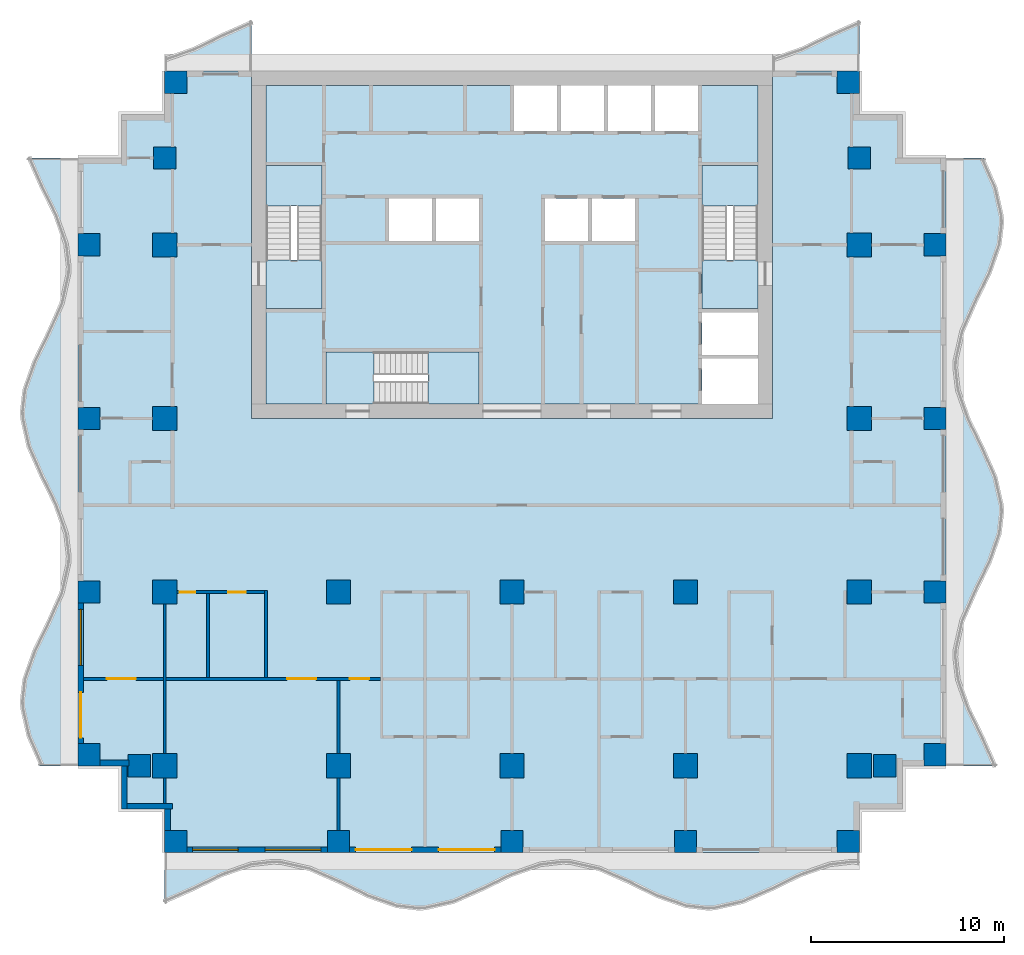
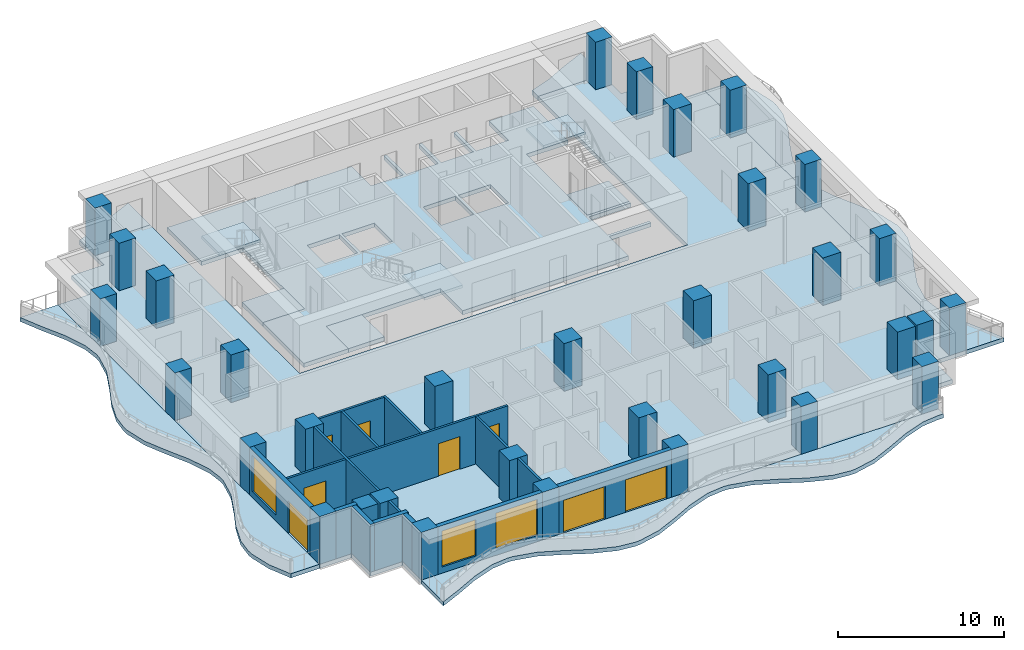
# One storey, part 1 of 10: 33 columns, 16 walls, 13 slabs, 8 doors, 3 windows, 11 openings, 3 elements without a shape of their own.
"""IFC4 building model written with IfcOpenShell, lengths in metres."""

from ifc_helpers import new_model, si_unit, direction, frame, frame_2d, origin, origin_2d, place, context, subcontext, project, spatial, polyline, rectangle, outline, extrude, material, layer, layer_set, material_profile, profile_set, type_object, element, fill, aggregate, save


model = new_model("IFC4")

# Units and contexts
model_context = context("Model", 3, precision=1e-05, world=origin(), true_north=direction((0.0, 1.0)))
body_context = subcontext(model_context, "Body", "Model", "MODEL_VIEW")
ifc_project = project(units=[si_unit("LENGTHUNIT", "METRE"), si_unit("AREAUNIT", "SQUARE_METRE"), si_unit("VOLUMEUNIT", "CUBIC_METRE"), si_unit("PLANEANGLEUNIT", "RADIAN"), si_unit("MASSUNIT", "GRAM", prefix="KILO")], contexts=[model_context])

# Site, building, storey
site_placement = place(None, origin())
site = spatial("IfcSite", under=ifc_project, at=site_placement, CompositionType="ELEMENT")
building_placement = place(site_placement, origin())
building = spatial("IfcBuilding", under=site, at=building_placement, Name="Orbiselva Terraces", CompositionType="ELEMENT")
storey_placement = place(building_placement, frame((0.0, 0.0, 155.4)))
storey = spatial("IfcBuildingStorey", under=building, at=storey_placement, Name="L39", CompositionType="ELEMENT", Elevation=155.4)

# Columns
ifc_material_1 = material(Name="Concrete C60/75", Category="concrete")
ifc_material_profile_1 = material_profile(ifc_material_1, rectangle(XDim=1.25, YDim=1.25, at=origin_2d()), Name="RC 1250x1250")
ifc_profile_set_1 = profile_set([ifc_material_profile_1], Name="Concrete C60/75")
column_type_1 = type_object("IfcColumnType", Name="COLUMN RC 1250x1250", PredefinedType="COLUMN", material=ifc_profile_set_1)
for number, where, z_axis, x_axis, name in (
    (1, (-18.0, -13.5, 0.0), (0.0, 0.0, 1.0), (1.0, 0.0, 0.0), "Column L39-01"),
    (2, (-18.0, -4.5, 0.0), (0.0, 0.0, 1.0), (1.0, 0.0, 0.0), "Column L39-03"),
    (3, (-18.0, 13.5, 0.0), (0.0, 0.0, 1.0), (1.0, 0.0, 0.0), "Column L39-04"),
    (4, (-18.0, 4.5, 0.0), (0.0, 0.0, 1.0), (1.0, 0.0, 0.0), "Column L39-06"),
    (5, (-9.0, -13.5, 0.0), (0.0, 0.0, 1.0), (1.0, 0.0, 0.0), "Column L39-13"),
    (6, (-9.0, -4.5, 0.0), (0.0, 0.0, 1.0), (1.0, 0.0, 0.0), "Column L39-15"),
    (7, (0.0, -13.5, 0.0), (0.0, 0.0, 1.0), (1.0, 0.0, 0.0), "Column L39-16"),
    (8, (0.0, -4.5, 0.0), (0.0, 0.0, 1.0), (1.0, 0.0, 0.0), "Column L39-18"),
    (9, (18.0, -13.5, 0.0), (0.0, 0.0, 1.0), (1.0, 0.0, 0.0), "Column L39-19"),
    (10, (18.0, -4.5, 0.0), (0.0, 0.0, 1.0), (1.0, 0.0, 0.0), "Column L39-21"),
    (11, (18.0, 13.5, 0.0), (0.0, 0.0, 1.0), (1.0, 0.0, 0.0), "Column L39-22"),
    (12, (18.0, 4.5, 0.0), (0.0, 0.0, 1.0), (1.0, 0.0, 0.0), "Column L39-24"),
    (13, (9.0, -13.5, 0.0), (0.0, 0.0, 1.0), (1.0, 0.0, 0.0), "Column L39-31"),
    (14, (9.0, -4.5, 0.0), (0.0, 0.0, 1.0), (1.0, 0.0, 0.0), "Column L39-33"),
):
    element("IfcColumn", number, at=place(storey_placement, frame(where, z_axis=z_axis, x_axis=x_axis)), inside=storey, type_object=column_type_1, Name=name, PredefinedType="COLUMN", context=body_context, shape_type="SweptSolid", body=[
        extrude(rectangle(XDim=1.25, YDim=1.25, at=origin_2d()), origin(), (0.0, 0.0, 1.0), 3.5),
    ])
ifc_material_profile_2 = material_profile(ifc_material_1, rectangle(XDim=1.15, YDim=1.15, at=origin_2d()), Name="RC 1150x1150")
ifc_profile_set_2 = profile_set([ifc_material_profile_2], Name="Concrete C60/75")
column_type_2 = type_object("IfcColumnType", Name="PERIMETER COLUMN RC 1150x1150", PredefinedType="COLUMN", material=ifc_profile_set_2)
for number, where, z_axis, x_axis, name in (
    (15, (-17.425, -17.425, 0.0), (0.0, 0.0, 1.0), (1.0, 0.0, 0.0), "Column L39-02"),
    (16, (-17.425, 21.925, 0.0), (0.0, 0.0, 1.0), (1.0, 0.0, 0.0), "Column L39-05"),
    (17, (-21.925, -12.925, 0.0), (0.0, 0.0, 1.0), (1.0, 0.0, 0.0), "Column L39-07"),
    (18, (-19.32, -13.5, 0.0), (0.0, 0.0, 1.0), (1.0, 0.0, 0.0), "Column L39-08"),
    (19, (-21.925, -4.5, 0.0), (0.0, 0.0, 1.0), (1.0, 0.0, 0.0), "Column L39-09"),
    (20, (-21.925, 13.5, 0.0), (0.0, 0.0, 1.0), (1.0, 0.0, 0.0), "Column L39-10"),
    (21, (-18.0, 18.0, 0.0), (0.0, 0.0, 1.0), (1.0, 0.0, 0.0), "Column L39-11"),
    (22, (-21.925, 4.5, 0.0), (0.0, 0.0, 1.0), (1.0, 0.0, 0.0), "Column L39-12"),
    (23, (-9.0, -17.425, 0.0), (0.0, 0.0, 1.0), (1.0, 0.0, 0.0), "Column L39-14"),
    (24, (0.0, -17.425, 0.0), (0.0, 0.0, 1.0), (1.0, 0.0, 0.0), "Column L39-17"),
    (25, (17.425, -17.425, 0.0), (0.0, 0.0, 1.0), (1.0, 0.0, 0.0), "Column L39-20"),
    (26, (17.425, 21.925, 0.0), (0.0, 0.0, 1.0), (1.0, 0.0, 0.0), "Column L39-23"),
    (27, (21.925, -12.925, 0.0), (0.0, 0.0, 1.0), (1.0, 0.0, 0.0), "Column L39-25"),
    (28, (19.32, -13.5, 0.0), (0.0, 0.0, 1.0), (1.0, 0.0, 0.0), "Column L39-26"),
    (29, (21.925, -4.5, 0.0), (0.0, 0.0, 1.0), (1.0, 0.0, 0.0), "Column L39-27"),
    (30, (21.925, 13.5, 0.0), (0.0, 0.0, 1.0), (1.0, 0.0, 0.0), "Column L39-28"),
    (31, (18.0, 18.0, 0.0), (0.0, 0.0, 1.0), (1.0, 0.0, 0.0), "Column L39-29"),
    (32, (21.925, 4.5, 0.0), (0.0, 0.0, 1.0), (1.0, 0.0, 0.0), "Column L39-30"),
    (33, (9.0, -17.425, 0.0), (0.0, 0.0, 1.0), (1.0, 0.0, 0.0), "Column L39-32"),
):
    element("IfcColumn", number, at=place(storey_placement, frame(where, z_axis=z_axis, x_axis=x_axis)), inside=storey, type_object=column_type_2, Name=name, PredefinedType="COLUMN", context=body_context, shape_type="SweptSolid", body=[
        extrude(rectangle(XDim=1.15, YDim=1.15, at=origin_2d()), origin(), (0.0, 0.0, 1.0), 3.5),
    ])

# Slabs
ifc_material_2 = material(Name="Concrete C40/50", Category="concrete")
ifc_layer_1 = layer(ifc_material_2, 0.3)
ifc_layer_set_1 = layer_set([ifc_layer_1], Name="Concrete C40/50")
slab_type_1 = type_object("IfcSlabType", Name="CORE-SLAB-FLOOR-300", PredefinedType="FLOOR", material=ifc_layer_set_1)
slab_1_placement = place(storey_placement, frame((0.0, 0.0, -0.3)))
element("IfcSlab", 34, at=slab_1_placement, inside=storey, type_object=slab_type_1, Name="L39 S1 floor landing", PredefinedType="FLOOR", context=body_context, shape_type="SweptSolid", body=[
    extrude(outline(polyline([(-12.75, 12.7), (-9.85, 12.7), (-9.85, 10.2), (-12.75, 10.2), (-12.75, 12.7)])), origin(), (0.0, 0.0, 1.0), 0.3),
])
slab_2_placement = place(storey_placement, frame((0.0, 0.0, -0.3)))
element("IfcSlab", 35, at=slab_2_placement, inside=storey, type_object=slab_type_1, Name="L39 S2 floor landing", PredefinedType="FLOOR", context=body_context, shape_type="SweptSolid", body=[
    extrude(outline(polyline([(12.75, 12.7), (12.75, 10.2), (9.85, 10.2), (9.85, 12.7), (12.75, 12.7)])), origin(), (0.0, 0.0, 1.0), 0.3),
])
slab_3_placement = place(storey_placement, frame((0.0, 0.0, -0.3)))
element("IfcSlab", 36, at=slab_3_placement, inside=storey, type_object=slab_type_1, Name="L39 S3 floor landing", PredefinedType="FLOOR", context=body_context, shape_type="SweptSolid", body=[
    extrude(outline(polyline([(-7.15, 5.25), (-9.65, 5.25), (-9.65, 7.95), (-7.15, 7.95), (-7.15, 5.25)])), origin(), (0.0, 0.0, 1.0), 0.3),
])
slab_4_placement = place(storey_placement, frame((0.0, 0.0, -0.3)))
element("IfcSlab", 37, at=slab_4_placement, inside=storey, type_object=slab_type_1, Name="L39 core floor slab 1", PredefinedType="FLOOR", context=body_context, shape_type="SweptSolid", body=[
    extrude(outline(polyline([(-1.7, 5.25), (-1.7, 7.95), (-9.65, 7.95), (-9.65, 5.25), (-12.75, 5.25), (-12.75, 10.2), (-9.85, 10.2), (-9.85, 17.6), (-12.75, 17.6), (-12.75, 21.75), (0.1, 21.75), (0.1, 19.4), (2.3375, 19.4), (2.3375, 21.75), (2.5375, 21.75), (2.5375, 19.4), (4.775, 19.4), (4.775, 21.75), (4.975, 21.75), (4.975, 19.4), (7.2125, 19.4), (7.2125, 21.75), (7.4125, 21.75), (7.4125, 19.4), (9.65, 19.4), (9.65, 21.75), (12.75, 21.75), (12.75, 17.6), (9.85, 17.6), (9.85, 10.2), (12.75, 10.2), (12.75, 10.0), (9.85, 10.0), (9.85, 7.8), (12.75, 7.8), (12.75, 7.6), (9.85, 7.6), (9.85, 5.25), (-1.7, 5.25)]), holes=[polyline([(-4.1375, 13.7), (-4.1375, 15.9), (-6.375, 15.9), (-6.375, 13.7), (-4.1375, 13.7)]), polyline([(-1.7, 13.7), (-1.7, 15.9), (-3.9375, 15.9), (-3.9375, 13.7), (-1.7, 13.7)]), polyline([(3.9375, 15.9), (1.7, 15.9), (1.7, 13.7), (3.9375, 13.7), (3.9375, 15.9)]), polyline([(6.375, 13.7), (6.375, 15.9), (4.1375, 15.9), (4.1375, 13.7), (6.375, 13.7)])]), origin(), (0.0, 0.0, 1.0), 0.3),
])

# Stair, slab
stair_type_1 = type_object("IfcStairType", Name="CORE-STAIR-1300", PredefinedType="HALF_TURN_STAIR", material=ifc_material_2)
stair_1_placement = place(storey_placement, origin())
stair_1 = element("IfcStair", 38, at=stair_1_placement, inside=storey, type_object=stair_type_1, Name="L39 Exit Stair S1", PredefinedType="HALF_TURN_STAIR")
ifc_layer_2 = layer(ifc_material_2, 0.2)
ifc_layer_set_2 = layer_set([ifc_layer_2], Name="Concrete C40/50")
slab_type_2 = type_object("IfcSlabType", Name="CORE-STAIR-LANDING-200", PredefinedType="LANDING", material=ifc_layer_set_2)
slab_5_placement = place(storey_placement, frame((0.0, 0.0, 1.7)))
slab_5 = element("IfcSlab", 39, at=slab_5_placement, type_object=slab_type_2, Name="S1 landing 1", PredefinedType="LANDING", context=body_context, shape_type="SweptSolid", body=[
    extrude(outline(polyline([(-9.85, 15.5), (-9.85, 17.6), (-12.75, 17.6), (-12.75, 15.5), (-9.85, 15.5)])), origin(), (0.0, 0.0, 1.0), 0.2),
])
aggregate(stair_1, [slab_5])

stair_2_placement = place(storey_placement, origin())
stair_2 = element("IfcStair", 40, at=stair_2_placement, inside=storey, type_object=stair_type_1, Name="L39 Exit Stair S2", PredefinedType="HALF_TURN_STAIR")
slab_6_placement = place(storey_placement, frame((0.0, 0.0, 1.7)))
slab_6 = element("IfcSlab", 41, at=slab_6_placement, type_object=slab_type_2, Name="S2 landing 1", PredefinedType="LANDING", context=body_context, shape_type="SweptSolid", body=[
    extrude(outline(polyline([(12.75, 15.5), (12.75, 17.6), (9.85, 17.6), (9.85, 15.5), (12.75, 15.5)])), origin(), (0.0, 0.0, 1.0), 0.2),
])
aggregate(stair_2, [slab_6])

stair_type_2 = type_object("IfcStairType", Name="CORE-STAIR-1200", PredefinedType="HALF_TURN_STAIR", material=ifc_material_2)
stair_3_placement = place(storey_placement, origin())
stair_3 = element("IfcStair", 42, at=stair_3_placement, inside=storey, type_object=stair_type_2, Name="L39 Exit Stair S3", PredefinedType="HALF_TURN_STAIR")
slab_7_placement = place(storey_placement, frame((0.0, 0.0, 1.7)))
slab_7 = element("IfcSlab", 43, at=slab_7_placement, type_object=slab_type_2, Name="S3 landing 1", PredefinedType="LANDING", context=body_context, shape_type="SweptSolid", body=[
    extrude(outline(polyline([(-4.35, 5.25), (-1.7, 5.25), (-1.7, 7.95), (-4.35, 7.95), (-4.35, 5.25)])), origin(), (0.0, 0.0, 1.0), 0.2),
])
aggregate(stair_3, [slab_7])

# Slabs
ifc_material_3 = material(Name="Concrete C50/60", Category="concrete")
ifc_layer_3 = layer(ifc_material_3, 0.3)
ifc_layer_set_3 = layer_set([ifc_layer_3], Name="Concrete C50/60")
slab_type_3 = type_object("IfcSlabType", Name="ENV-BALCONY-SLAB-300", PredefinedType="FLOOR", material=ifc_layer_set_3)
slab_8_placement = place(storey_placement, frame((0.0, 0.0, -0.3)))
element("IfcSlab", 44, at=slab_8_placement, inside=storey, type_object=slab_type_3, Name="Balcony slab L39 S", PredefinedType="FLOOR", context=body_context, shape_type="SweptSolid", body=[
    extrude(outline(polyline([(-18.0, -20.648528), (-16.5, -19.987721), (-15.0, -19.255211), (-13.5, -18.730792), (-12.375, -18.6), (-12.0, -18.614774), (-10.5, -18.951472), (-9.0, -19.612279), (-7.5, -20.344789), (-6.0, -20.869208), (-4.875, -21.0), (-4.5, -20.985226), (-3.0, -20.648528), (-1.5, -19.987721), (0.0, -19.255211), (1.5, -18.730792), (2.625, -18.6), (3.0, -18.614774), (4.5, -18.951472), (6.0, -19.612279), (7.5, -20.344789), (9.0, -20.869208), (10.125, -21.0), (10.5, -20.985226), (12.0, -20.648528), (13.5, -19.987721), (15.0, -19.255211), (16.5, -18.730792), (17.625, -18.6), (18.0, -18.614774), (18.0, -18.0), (-18.0, -18.0), (-18.0, -20.648528)])), origin(), (0.0, 0.0, 1.0), 0.3),
])
slab_9_placement = place(storey_placement, frame((0.0, 0.0, -0.3)))
element("IfcSlab", 45, at=slab_9_placement, inside=storey, type_object=slab_type_3, Name="Balcony slab L39 E", PredefinedType="FLOOR", context=body_context, shape_type="SweptSolid", body=[
    extrude(outline(polyline([(25.148528, -13.5), (24.487721, -12.0), (23.755211, -10.5), (23.230792, -9.0), (23.1, -7.875), (23.114774, -7.5), (23.451472, -6.0), (24.112279, -4.5), (24.844789, -3.0), (25.369208, -1.5), (25.5, -0.375), (25.485226, 0.0), (25.148528, 1.5), (24.487721, 3.0), (23.755211, 4.5), (23.230792, 6.0), (23.1, 7.125), (23.114774, 7.5), (23.451472, 9.0), (24.112279, 10.5), (24.844789, 12.0), (25.369208, 13.5), (25.5, 14.625), (25.485226, 15.0), (25.148528, 16.5), (24.487721, 18.0), (22.5, 18.0), (22.5, -13.5), (25.148528, -13.5)])), origin(), (0.0, 0.0, 1.0), 0.3),
])
slab_10_placement = place(storey_placement, frame((0.0, 0.0, -0.3)))
element("IfcSlab", 46, at=slab_10_placement, inside=storey, type_object=slab_type_3, Name="Balcony slab L39 NE", PredefinedType="FLOOR", context=body_context, shape_type="SweptSolid", body=[
    extrude(outline(polyline([(18.0, 25.148528), (16.5, 24.487721), (15.0, 23.755211), (13.5, 23.230792), (13.5, 22.5), (18.0, 22.5), (18.0, 25.148528)])), origin(), (0.0, 0.0, 1.0), 0.3),
])
slab_11_placement = place(storey_placement, frame((0.0, 0.0, -0.3)))
element("IfcSlab", 47, at=slab_11_placement, inside=storey, type_object=slab_type_3, Name="Balcony slab L39 NW", PredefinedType="FLOOR", context=body_context, shape_type="SweptSolid", body=[
    extrude(outline(polyline([(-13.5, 25.148528), (-15.0, 24.487721), (-16.5, 23.755211), (-18.0, 23.230792), (-18.0, 22.5), (-13.5, 22.5), (-13.5, 25.148528)])), origin(), (0.0, 0.0, 1.0), 0.3),
])
slab_12_placement = place(storey_placement, frame((0.0, 0.0, -0.3)))
element("IfcSlab", 48, at=slab_12_placement, inside=storey, type_object=slab_type_3, Name="Balcony slab L39 W", PredefinedType="FLOOR", context=body_context, shape_type="SweptSolid", body=[
    extrude(outline(polyline([(-25.148528, 18.0), (-24.487721, 16.5), (-23.755211, 15.0), (-23.230792, 13.5), (-23.1, 12.375), (-23.114774, 12.0), (-23.451472, 10.5), (-24.112279, 9.0), (-24.844789, 7.5), (-25.369208, 6.0), (-25.5, 4.875), (-25.485226, 4.5), (-25.148528, 3.0), (-24.487721, 1.5), (-23.755211, 0.0), (-23.230792, -1.5), (-23.1, -2.625), (-23.114774, -3.0), (-23.451472, -4.5), (-24.112279, -6.0), (-24.844789, -7.5), (-25.369208, -9.0), (-25.5, -10.125), (-25.485226, -10.5), (-25.148528, -12.0), (-24.487721, -13.5), (-22.5, -13.5), (-22.5, 18.0), (-25.148528, 18.0)])), origin(), (0.0, 0.0, 1.0), 0.3),
])
ifc_layer_4 = layer(ifc_material_3, 0.3)
ifc_layer_set_4 = layer_set([ifc_layer_4], Name="Concrete C50/60")
slab_type_4 = type_object("IfcSlabType", Name="FLOOR SLAB 300", PredefinedType="FLOOR", material=ifc_layer_set_4)
slab_13_placement = place(storey_placement, frame((0.0, 0.0, -0.3)))
element("IfcSlab", 49, at=slab_13_placement, inside=storey, type_object=slab_type_4, Name="Floor slab L39", PredefinedType="FLOOR", context=body_context, shape_type="SweptSolid", body=[
    extrude(outline(polyline([(18.0, 22.5), (18.0, 20.25), (20.25, 20.25), (20.25, 18.0), (22.5, 18.0), (22.5, -13.5), (20.25, -13.5), (20.25, -15.75), (18.0, -15.75), (18.0, -18.0), (-18.0, -18.0), (-18.0, -15.75), (-20.25, -15.75), (-20.25, -13.5), (-22.5, -13.5), (-22.5, 18.0), (-20.25, 18.0), (-20.25, 20.25), (-18.0, 20.25), (-18.0, 22.5), (-13.5, 22.5), (-13.5, 4.5), (13.5, 4.5), (13.5, 22.5), (18.0, 22.5)])), origin(), (0.0, 0.0, 1.0), 0.3),
])

# Wall, openings, windows
ifc_material_4 = material(Name="Terracotta cladding on masonry backing", Category="masonry")
ifc_layer_5 = layer(ifc_material_4, 0.3)
ifc_layer_set_5 = layer_set([ifc_layer_5], Name="Terracotta cladding on masonry backing")
wall_type_1 = type_object("IfcWallType", Name="ENV-WALL-TERRACOTTA-300", PredefinedType="SOLIDWALL", material=ifc_layer_set_5)
wall_1_placement = place(storey_placement, frame((-9.575, -17.85, 0.0), z_axis=(0.0, 0.0, 1.0), x_axis=(-1.0, 0.0, 0.0)))
wall_1 = element("IfcWall", 50, at=wall_1_placement, inside=storey, type_object=wall_type_1, Name="Facade wall L39 S", PredefinedType="SOLIDWALL", context=body_context, shape_type="SweptSolid", body=[
    extrude(rectangle(XDim=7.275, YDim=0.3, at=frame_2d((3.6375, 0.0))), origin(), (0.0, 0.0, 1.0), 3.5),
])
opening_1_placement = place(wall_1_placement, frame((4.625, 0.0, 0.45)))
opening_1 = element("IfcOpeningElement", 51, at=opening_1_placement, cuts=wall_1, Name="Opening WN10", PredefinedType="OPENING", context=body_context, shape_type="SweptSolid", body=[
    extrude(rectangle(XDim=2.35, YDim=2.65, at=frame_2d((1.175, 1.325))), frame((0.0, 0.16, 0.0), z_axis=(0.0, -1.0, 0.0), x_axis=(1.0, 0.0, 0.0)), (0.0, 0.0, 1.0), 0.32),
])
opening_2_placement = place(wall_1_placement, frame((0.325, 0.0, 0.45)))
opening_2 = element("IfcOpeningElement", 52, at=opening_2_placement, cuts=wall_1, Name="Opening WN8", PredefinedType="OPENING", context=body_context, shape_type="SweptSolid", body=[
    extrude(rectangle(XDim=2.9, YDim=2.65, at=frame_2d((1.45, 1.325))), frame((0.0, 0.16, 0.0), z_axis=(0.0, -1.0, 0.0), x_axis=(1.0, 0.0, 0.0)), (0.0, 0.0, 1.0), 0.32),
])
ifc_material_5 = material(Name="Clear low-e glazing in aluminium frame", Category="aluminium")
window_type_1 = type_object("IfcWindowType", Name="WINDOW 2350 X 2650 S450", PartitioningType="TRIPLE_PANEL_VERTICAL", PredefinedType="WINDOW", material=ifc_material_5)
window_1_placement = place(opening_1_placement, origin())
window_1 = element("IfcWindow", 53, at=window_1_placement, inside=storey, type_object=window_type_1, Name="Window L39 S", OverallHeight=2.65, OverallWidth=2.35, PartitioningType="SINGLE_PANEL", PredefinedType="WINDOW", context=body_context, shape_type="SweptSolid", body=[
    extrude(rectangle(XDim=2.35, YDim=2.65, at=frame_2d((1.175, 1.325))), frame((0.0, 0.03, 0.0), z_axis=(0.0, -1.0, 0.0), x_axis=(1.0, 0.0, 0.0)), (0.0, 0.0, 1.0), 0.06),
])
fill(opening_1, window_1)
window_type_2 = type_object("IfcWindowType", Name="WINDOW 2900 X 2650 S450", PartitioningType="TRIPLE_PANEL_VERTICAL", PredefinedType="WINDOW", material=ifc_material_5)
window_2_placement = place(opening_2_placement, origin())
window_2 = element("IfcWindow", 54, at=window_2_placement, inside=storey, type_object=window_type_2, Name="Window L39 S", OverallHeight=2.65, OverallWidth=2.9, PartitioningType="SINGLE_PANEL", PredefinedType="WINDOW", context=body_context, shape_type="SweptSolid", body=[
    extrude(rectangle(XDim=2.9, YDim=2.65, at=frame_2d((1.45, 1.325))), frame((0.0, 0.03, 0.0), z_axis=(0.0, -1.0, 0.0), x_axis=(1.0, 0.0, 0.0)), (0.0, 0.0, 1.0), 0.06),
])
fill(opening_2, window_2)

# Wall, openings, doors
wall_2_placement = place(storey_placement, frame((-0.575, -17.85, 0.0), z_axis=(0.0, 0.0, 1.0), x_axis=(-1.0, 0.0, 0.0)))
wall_2 = element("IfcWall", 55, at=wall_2_placement, inside=storey, type_object=wall_type_1, Name="Facade wall L39 S", PredefinedType="SOLIDWALL", context=body_context, shape_type="SweptSolid", body=[
    extrude(rectangle(XDim=7.85, YDim=0.3, at=frame_2d((3.925, 0.0))), origin(), (0.0, 0.0, 1.0), 3.5),
])
opening_3_placement = place(wall_2_placement, frame((4.625, 0.0, 0.0)))
opening_3 = element("IfcOpeningElement", 56, at=opening_3_placement, cuts=wall_2, Name="Opening Z3-C-E13", PredefinedType="OPENING", context=body_context, shape_type="SweptSolid", body=[
    extrude(rectangle(XDim=2.9, YDim=2.4, at=frame_2d((1.45, 1.2))), frame((0.0, 0.16, 0.0), z_axis=(0.0, -1.0, 0.0), x_axis=(1.0, 0.0, 0.0)), (0.0, 0.0, 1.0), 0.32),
])
opening_4_placement = place(wall_2_placement, frame((0.325, 0.0, 0.0)))
opening_4 = element("IfcOpeningElement", 57, at=opening_4_placement, cuts=wall_2, Name="Opening Z3-C-E02", PredefinedType="OPENING", context=body_context, shape_type="SweptSolid", body=[
    extrude(rectangle(XDim=2.9, YDim=2.4, at=frame_2d((1.45, 1.2))), frame((0.0, 0.16, 0.0), z_axis=(0.0, -1.0, 0.0), x_axis=(1.0, 0.0, 0.0)), (0.0, 0.0, 1.0), 0.32),
])
door_type_1 = type_object("IfcDoorType", Name="BALCONY DOOR 2900 X 2400", OperationType="DOUBLE_DOOR_SLIDING", PredefinedType="DOOR", material=ifc_material_5)
door_1_placement = place(opening_3_placement, origin())
door_1 = element("IfcDoor", 58, at=door_1_placement, inside=storey, type_object=door_type_1, Name="Z3-C-E13", OperationType="SINGLE_SWING_LEFT", OverallHeight=2.4, OverallWidth=2.9, PredefinedType="DOOR", context=body_context, shape_type="SweptSolid", body=[
    extrude(rectangle(XDim=2.9, YDim=2.4, at=frame_2d((1.45, 1.2))), frame((0.0, 0.025, 0.0), z_axis=(0.0, -1.0, 0.0), x_axis=(1.0, 0.0, 0.0)), (0.0, 0.0, 1.0), 0.05),
])
fill(opening_3, door_1)
door_2_placement = place(opening_4_placement, origin())
door_2 = element("IfcDoor", 59, at=door_2_placement, inside=storey, type_object=door_type_1, Name="Z3-C-E02", OperationType="SINGLE_SWING_LEFT", OverallHeight=2.4, OverallWidth=2.9, PredefinedType="DOOR", context=body_context, shape_type="SweptSolid", body=[
    extrude(rectangle(XDim=2.9, YDim=2.4, at=frame_2d((1.45, 1.2))), frame((0.0, 0.025, 0.0), z_axis=(0.0, -1.0, 0.0), x_axis=(1.0, 0.0, 0.0)), (0.0, 0.0, 1.0), 0.05),
])
fill(opening_4, door_2)

# Wall, openings, door, window
wall_3_placement = place(storey_placement, frame((-22.35, -12.35, 0.0), z_axis=(0.0, 0.0, 1.0), x_axis=(0.0, 1.0, 0.0)))
wall_3 = element("IfcWall", 60, at=wall_3_placement, inside=storey, type_object=wall_type_1, Name="Facade wall L39 W", PredefinedType="SOLIDWALL", context=body_context, shape_type="SweptSolid", body=[
    extrude(rectangle(XDim=7.275, YDim=0.3, at=frame_2d((3.6375, 0.0))), origin(), (0.0, 0.0, 1.0), 3.5),
])
opening_5_placement = place(wall_3_placement, frame((4.05, 0.0, 0.45)))
opening_5 = element("IfcOpeningElement", 61, at=opening_5_placement, cuts=wall_3, Name="Opening WN8", PredefinedType="OPENING", context=body_context, shape_type="SweptSolid", body=[
    extrude(rectangle(XDim=2.9, YDim=2.65, at=frame_2d((1.45, 1.325))), frame((0.0, 0.16, 0.0), z_axis=(0.0, -1.0, 0.0), x_axis=(1.0, 0.0, 0.0)), (0.0, 0.0, 1.0), 0.32),
])
opening_6_placement = place(wall_3_placement, frame((0.3, 0.0, 0.0)))
opening_6 = element("IfcOpeningElement", 62, at=opening_6_placement, cuts=wall_3, Name="Opening Z3-C-E12", PredefinedType="OPENING", context=body_context, shape_type="SweptSolid", body=[
    extrude(rectangle(XDim=2.35, YDim=2.4, at=frame_2d((1.175, 1.2))), frame((0.0, 0.16, 0.0), z_axis=(0.0, -1.0, 0.0), x_axis=(1.0, 0.0, 0.0)), (0.0, 0.0, 1.0), 0.32),
])
door_type_2 = type_object("IfcDoorType", Name="BALCONY DOOR 2350 X 2400", OperationType="DOUBLE_DOOR_SLIDING", PredefinedType="DOOR", material=ifc_material_5)
door_3_placement = place(opening_6_placement, origin())
door_3 = element("IfcDoor", 63, at=door_3_placement, inside=storey, type_object=door_type_2, Name="Z3-C-E12", OperationType="SINGLE_SWING_LEFT", OverallHeight=2.4, OverallWidth=2.35, PredefinedType="DOOR", context=body_context, shape_type="SweptSolid", body=[
    extrude(rectangle(XDim=2.35, YDim=2.4, at=frame_2d((1.175, 1.2))), frame((0.0, 0.025, 0.0), z_axis=(0.0, -1.0, 0.0), x_axis=(1.0, 0.0, 0.0)), (0.0, 0.0, 1.0), 0.05),
])
fill(opening_6, door_3)
window_3_placement = place(opening_5_placement, origin())
window_3 = element("IfcWindow", 64, at=window_3_placement, inside=storey, type_object=window_type_2, Name="Window L39 W", OverallHeight=2.65, OverallWidth=2.9, PartitioningType="SINGLE_PANEL", PredefinedType="WINDOW", context=body_context, shape_type="SweptSolid", body=[
    extrude(rectangle(XDim=2.9, YDim=2.65, at=frame_2d((1.45, 1.325))), frame((0.0, 0.03, 0.0), z_axis=(0.0, -1.0, 0.0), x_axis=(1.0, 0.0, 0.0)), (0.0, 0.0, 1.0), 0.06),
])
fill(opening_5, window_3)

# Walls
wall_4_placement = place(storey_placement, frame((-19.85, -13.35, 0.0), z_axis=(0.0, 0.0, 1.0), x_axis=(-1.0, 0.0, 0.0)))
element("IfcWall", 65, at=wall_4_placement, inside=storey, type_object=wall_type_1, Name="Facade wall L39 STEP", PredefinedType="SOLIDWALL", context=body_context, shape_type="SweptSolid", body=[
    extrude(rectangle(XDim=1.5, YDim=0.3, at=frame_2d((0.75, 0.0))), origin(), (0.0, 0.0, 1.0), 3.5),
])
wall_5_placement = place(storey_placement, frame((-20.1, -15.75, 0.0), z_axis=(0.0, 0.0, 1.0), x_axis=(0.0, 1.0, 0.0)))
element("IfcWall", 66, at=wall_5_placement, inside=storey, type_object=wall_type_1, Name="Facade wall L39 STEP", PredefinedType="SOLIDWALL", context=body_context, shape_type="SweptSolid", body=[
    extrude(rectangle(XDim=2.25, YDim=0.3, at=frame_2d((1.125, 0.0))), origin(), (0.0, 0.0, 1.0), 3.5),
])
wall_6_placement = place(storey_placement, frame((-17.6, -15.6, 0.0), z_axis=(0.0, 0.0, 1.0), x_axis=(-1.0, 0.0, 0.0)))
element("IfcWall", 67, at=wall_6_placement, inside=storey, type_object=wall_type_1, Name="Facade wall L39 STEP", PredefinedType="SOLIDWALL", context=body_context, shape_type="SweptSolid", body=[
    extrude(rectangle(XDim=2.35, YDim=0.3, at=frame_2d((1.175, 0.0))), origin(), (0.0, 0.0, 1.0), 3.5),
])
wall_7_placement = place(storey_placement, frame((-17.85, -16.85, 0.0), z_axis=(0.0, 0.0, 1.0), x_axis=(0.0, 1.0, 0.0)))
element("IfcWall", 68, at=wall_7_placement, inside=storey, type_object=wall_type_1, Name="Facade wall L39 STEP", PredefinedType="SOLIDWALL", context=body_context, shape_type="SweptSolid", body=[
    extrude(rectangle(XDim=1.1, YDim=0.3, at=frame_2d((0.55, 0.0))), origin(), (0.0, 0.0, 1.0), 3.5),
])

# Wall, opening, door
ifc_material_6 = material(Name="Plasterboard on steel stud partition", Category="steel")
ifc_layer_6 = layer(ifc_material_6, 0.15)
ifc_layer_set_6 = layer_set([ifc_layer_6], Name="Plasterboard on steel stud partition")
wall_type_2 = type_object("IfcWallType", Name="UNIT-PARTITION-150", PredefinedType="PARTITIONING", material=ifc_layer_set_6)
wall_8_placement = place(storey_placement, frame((-18.075, -9.0, 0.0), z_axis=(0.0, 0.0, 1.0), x_axis=(-1.0, 0.0, 0.0)))
wall_8 = element("IfcWall", 69, at=wall_8_placement, inside=storey, type_object=wall_type_2, Name="PARTITION L39-006", PredefinedType="PARTITIONING", context=body_context, shape_type="SweptSolid", body=[
    extrude(rectangle(XDim=4.125, YDim=0.15, at=frame_2d((2.0625, 0.0))), origin(), (0.0, 0.0, 1.0), 3.5),
])
opening_7_placement = place(wall_8_placement, frame((1.425, 0.0, 0.0)))
opening_7 = element("IfcOpeningElement", 70, at=opening_7_placement, cuts=wall_8, Name="Opening Z3-C-34", PredefinedType="OPENING", context=body_context, shape_type="SweptSolid", body=[
    extrude(rectangle(XDim=1.5, YDim=2.4, at=frame_2d((0.75, 1.2))), frame((0.0, 0.085, 0.0), z_axis=(0.0, -1.0, 0.0), x_axis=(1.0, 0.0, 0.0)), (0.0, 0.0, 1.0), 0.17),
])
ifc_material_7 = material(Name="Painted timber door leaf", Category="wood")
door_type_3 = type_object("IfcDoorType", Name="DOUBLE DOOR 1500", OperationType="NOTDEFINED", PredefinedType="DOOR", material=ifc_material_7)
door_4_placement = place(opening_7_placement, origin())
door_4 = element("IfcDoor", 71, at=door_4_placement, inside=storey, type_object=door_type_3, Name="Z3-C-34", OperationType="DOUBLE_DOOR_SINGLE_SWING", OverallHeight=2.4, OverallWidth=1.5, PredefinedType="DOOR", context=body_context, shape_type="SweptSolid", body=[
    extrude(rectangle(XDim=1.5, YDim=2.4, at=frame_2d((0.75, 1.2))), frame((0.0, 0.025, 0.0), z_axis=(0.0, -1.0, 0.0), x_axis=(1.0, 0.0, 0.0)), (0.0, 0.0, 1.0), 0.05),
])
fill(opening_7, door_4)

# Wall, openings, doors
wall_9_placement = place(storey_placement, frame((-6.825, -9.0, 0.0), z_axis=(0.0, 0.0, 1.0), x_axis=(-1.0, 0.0, 0.0)))
wall_9 = element("IfcWall", 72, at=wall_9_placement, inside=storey, type_object=wall_type_2, Name="PARTITION L39-007", PredefinedType="PARTITIONING", context=body_context, shape_type="SweptSolid", body=[
    extrude(rectangle(XDim=11.1, YDim=0.15, at=frame_2d((5.55, 0.0))), origin(), (0.0, 0.0, 1.0), 3.5),
])
opening_8_placement = place(wall_9_placement, frame((0.575, 0.0, 0.0)))
opening_8 = element("IfcOpeningElement", 73, at=opening_8_placement, cuts=wall_9, Name="Opening Z3-C-31", PredefinedType="OPENING", context=body_context, shape_type="SweptSolid", body=[
    extrude(rectangle(XDim=1.0, YDim=2.4, at=frame_2d((0.5, 1.2))), frame((0.0, 0.085, 0.0), z_axis=(0.0, -1.0, 0.0), x_axis=(1.0, 0.0, 0.0)), (0.0, 0.0, 1.0), 0.17),
])
opening_9_placement = place(wall_9_placement, frame((3.325, 0.0, 0.0)))
opening_9 = element("IfcOpeningElement", 74, at=opening_9_placement, cuts=wall_9, Name="Opening Z3-C-33", PredefinedType="OPENING", context=body_context, shape_type="SweptSolid", body=[
    extrude(rectangle(XDim=1.5, YDim=2.4, at=frame_2d((0.75, 1.2))), frame((0.0, 0.085, 0.0), z_axis=(0.0, -1.0, 0.0), x_axis=(1.0, 0.0, 0.0)), (0.0, 0.0, 1.0), 0.17),
])
door_5_placement = place(opening_9_placement, origin())
door_5 = element("IfcDoor", 75, at=door_5_placement, inside=storey, type_object=door_type_3, Name="Z3-C-33", OperationType="DOUBLE_DOOR_SINGLE_SWING", OverallHeight=2.4, OverallWidth=1.5, PredefinedType="DOOR", context=body_context, shape_type="SweptSolid", body=[
    extrude(rectangle(XDim=1.5, YDim=2.4, at=frame_2d((0.75, 1.2))), frame((0.0, 0.025, 0.0), z_axis=(0.0, -1.0, 0.0), x_axis=(1.0, 0.0, 0.0)), (0.0, 0.0, 1.0), 0.05),
])
fill(opening_9, door_5)
door_type_4 = type_object("IfcDoorType", Name="ROOM DOOR 1000", OperationType="NOTDEFINED", PredefinedType="DOOR", material=ifc_material_7)
door_6_placement = place(opening_8_placement, origin())
door_6 = element("IfcDoor", 76, at=door_6_placement, inside=storey, type_object=door_type_4, Name="Z3-C-31", OperationType="SINGLE_SWING_LEFT", OverallHeight=2.4, OverallWidth=1.0, PredefinedType="DOOR", context=body_context, shape_type="SweptSolid", body=[
    extrude(rectangle(XDim=1.0, YDim=2.4, at=frame_2d((0.5, 1.2))), frame((0.0, 0.025, 0.0), z_axis=(0.0, -1.0, 0.0), x_axis=(1.0, 0.0, 0.0)), (0.0, 0.0, 1.0), 0.05),
])
fill(opening_8, door_6)

wall_10_placement = place(storey_placement, frame((-12.825, -4.5, 0.0), z_axis=(0.0, 0.0, 1.0), x_axis=(-1.0, 0.0, 0.0)))
wall_10 = element("IfcWall", 77, at=wall_10_placement, inside=storey, type_object=wall_type_2, Name="PARTITION L39-016", PredefinedType="PARTITIONING", context=body_context, shape_type="SweptSolid", body=[
    extrude(rectangle(XDim=4.55, YDim=0.15, at=frame_2d((2.275, 0.0))), origin(), (0.0, 0.0, 1.0), 3.5),
])
opening_10_placement = place(wall_10_placement, frame((0.975, 0.0, 0.0)))
opening_10 = element("IfcOpeningElement", 78, at=opening_10_placement, cuts=wall_10, Name="Opening Z3-C-20", PredefinedType="OPENING", context=body_context, shape_type="SweptSolid", body=[
    extrude(rectangle(XDim=0.9, YDim=2.1, at=frame_2d((0.45, 1.05))), frame((0.0, 0.085, 0.0), z_axis=(0.0, -1.0, 0.0), x_axis=(1.0, 0.0, 0.0)), (0.0, 0.0, 1.0), 0.17),
])
opening_11_placement = place(wall_10_placement, frame((3.6, 0.0, 0.0)))
opening_11 = element("IfcOpeningElement", 79, at=opening_11_placement, cuts=wall_10, Name="Opening Z3-C-21", PredefinedType="OPENING", context=body_context, shape_type="SweptSolid", body=[
    extrude(rectangle(XDim=0.8, YDim=2.0, at=frame_2d((0.4, 1.0))), frame((0.0, 0.085, 0.0), z_axis=(0.0, -1.0, 0.0), x_axis=(1.0, 0.0, 0.0)), (0.0, 0.0, 1.0), 0.17),
])
door_type_5 = type_object("IfcDoorType", Name="SERVICE DOOR 900", OperationType="NOTDEFINED", PredefinedType="DOOR", material=ifc_material_7)
door_7_placement = place(opening_10_placement, origin())
door_7 = element("IfcDoor", 80, at=door_7_placement, inside=storey, type_object=door_type_5, Name="Z3-C-20", OperationType="SINGLE_SWING_LEFT", OverallHeight=2.1, OverallWidth=0.9, PredefinedType="DOOR", context=body_context, shape_type="SweptSolid", body=[
    extrude(rectangle(XDim=0.9, YDim=2.1, at=frame_2d((0.45, 1.05))), frame((0.0, 0.025, 0.0), z_axis=(0.0, -1.0, 0.0), x_axis=(1.0, 0.0, 0.0)), (0.0, 0.0, 1.0), 0.05),
])
fill(opening_10, door_7)
door_type_6 = type_object("IfcDoorType", Name="STORE DOOR 800", OperationType="NOTDEFINED", PredefinedType="DOOR", material=ifc_material_7)
door_8_placement = place(opening_11_placement, origin())
door_8 = element("IfcDoor", 81, at=door_8_placement, inside=storey, type_object=door_type_6, Name="Z3-C-21", OperationType="SINGLE_SWING_RIGHT", OverallHeight=2.0, OverallWidth=0.8, PredefinedType="DOOR", context=body_context, shape_type="SweptSolid", body=[
    extrude(rectangle(XDim=0.8, YDim=2.0, at=frame_2d((0.4, 1.0))), frame((0.0, 0.025, 0.0), z_axis=(0.0, -1.0, 0.0), x_axis=(1.0, 0.0, 0.0)), (0.0, 0.0, 1.0), 0.05),
])
fill(opening_11, door_8)

# Walls
wall_11_placement = place(storey_placement, frame((-18.0, -15.45, 0.0), z_axis=(0.0, 0.0, 1.0), x_axis=(0.0, 1.0, 0.0)))
element("IfcWall", 82, at=wall_11_placement, inside=storey, type_object=wall_type_2, Name="PARTITION L39-036", PredefinedType="PARTITIONING", context=body_context, shape_type="SweptSolid", body=[
    extrude(rectangle(XDim=1.325, YDim=0.15, at=frame_2d((0.6625, 0.0))), origin(), (0.0, 0.0, 1.0), 3.5),
])
wall_12_placement = place(storey_placement, frame((-18.0, -12.875, 0.0), z_axis=(0.0, 0.0, 1.0), x_axis=(0.0, 1.0, 0.0)))
element("IfcWall", 83, at=wall_12_placement, inside=storey, type_object=wall_type_2, Name="PARTITION L39-037", PredefinedType="PARTITIONING", context=body_context, shape_type="SweptSolid", body=[
    extrude(rectangle(XDim=7.75, YDim=0.15, at=frame_2d((3.875, 0.0))), origin(), (0.0, 0.0, 1.0), 3.5),
])
wall_13_placement = place(storey_placement, frame((-15.75, -8.925, 0.0), z_axis=(0.0, 0.0, 1.0), x_axis=(0.0, 1.0, 0.0)))
element("IfcWall", 84, at=wall_13_placement, inside=storey, type_object=wall_type_2, Name="PARTITION L39-042", PredefinedType="PARTITIONING", context=body_context, shape_type="SweptSolid", body=[
    extrude(rectangle(XDim=4.35, YDim=0.15, at=frame_2d((2.175, 0.0))), origin(), (0.0, 0.0, 1.0), 3.5),
])
wall_14_placement = place(storey_placement, frame((-12.75, -8.925, 0.0), z_axis=(0.0, 0.0, 1.0), x_axis=(0.0, 1.0, 0.0)))
element("IfcWall", 85, at=wall_14_placement, inside=storey, type_object=wall_type_2, Name="PARTITION L39-043", PredefinedType="PARTITIONING", context=body_context, shape_type="SweptSolid", body=[
    extrude(rectangle(XDim=4.5, YDim=0.15, at=frame_2d((2.25, 0.0))), origin(), (0.0, 0.0, 1.0), 3.5),
])
wall_15_placement = place(storey_placement, frame((-9.0, -16.85, 0.0), z_axis=(0.0, 0.0, 1.0), x_axis=(0.0, 1.0, 0.0)))
element("IfcWall", 86, at=wall_15_placement, inside=storey, type_object=wall_type_2, Name="PARTITION L39-044", PredefinedType="PARTITIONING", context=body_context, shape_type="SweptSolid", body=[
    extrude(rectangle(XDim=2.725, YDim=0.15, at=frame_2d((1.3625, 0.0))), origin(), (0.0, 0.0, 1.0), 3.5),
])
wall_16_placement = place(storey_placement, frame((-9.0, -12.875, 0.0), z_axis=(0.0, 0.0, 1.0), x_axis=(0.0, 1.0, 0.0)))
element("IfcWall", 87, at=wall_16_placement, inside=storey, type_object=wall_type_2, Name="PARTITION L39-045", PredefinedType="PARTITIONING", context=body_context, shape_type="SweptSolid", body=[
    extrude(rectangle(XDim=3.8, YDim=0.15, at=frame_2d((1.9, 0.0))), origin(), (0.0, 0.0, 1.0), 3.5),
])

save(model, "model.ifc")
